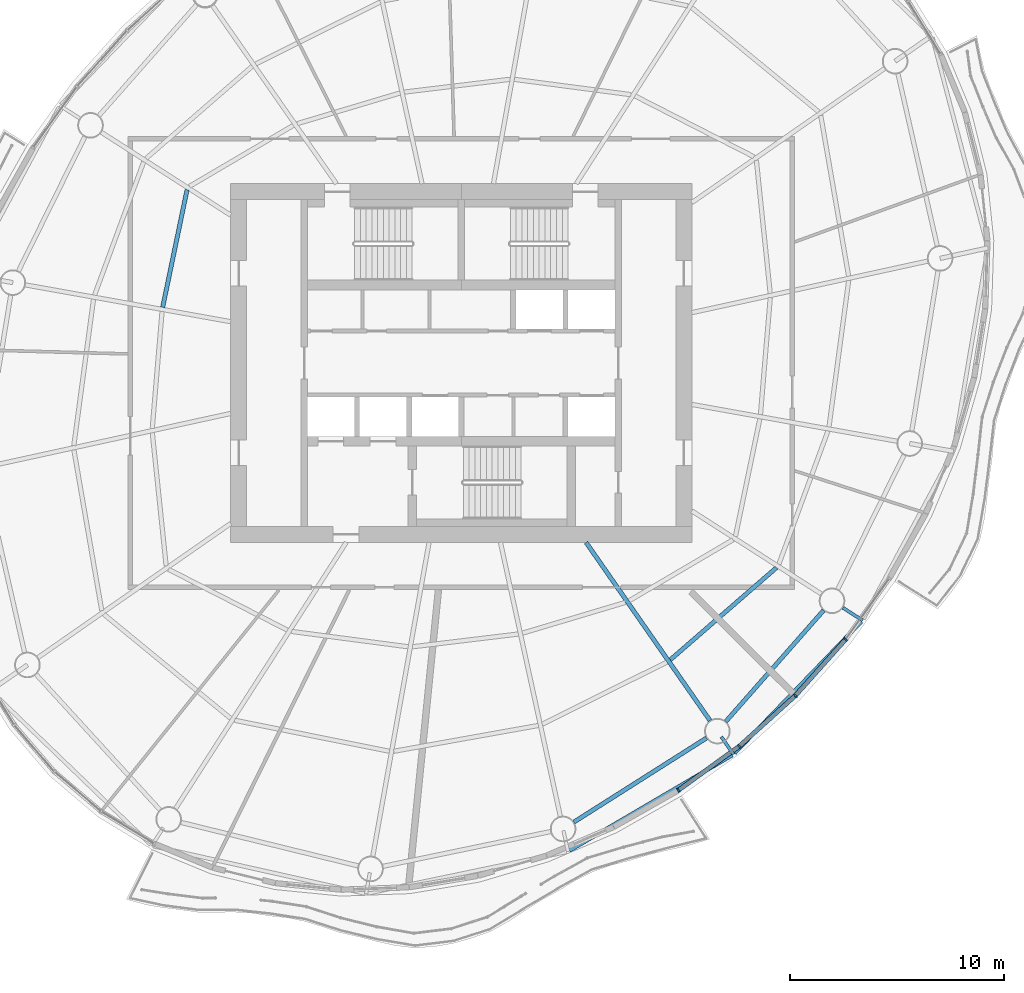
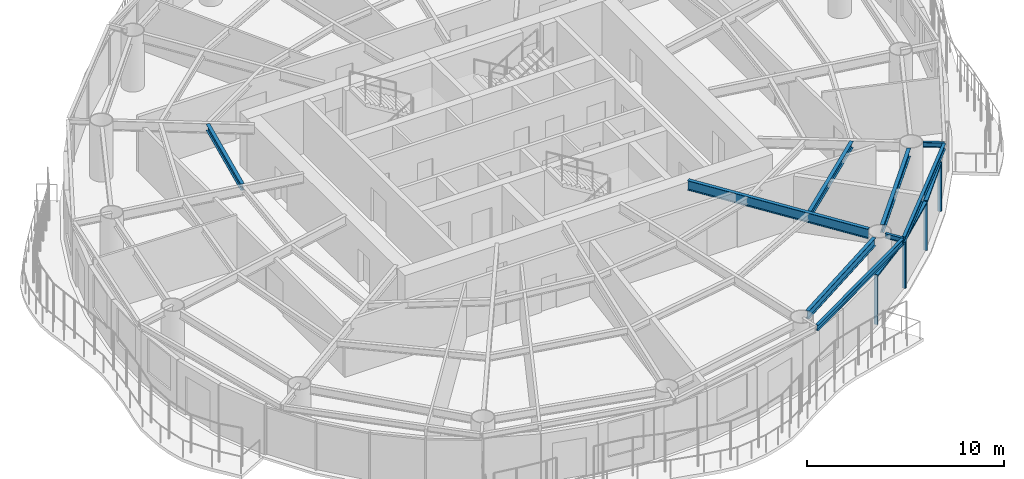
# One storey, part 3 of 14: 9 beams, 7 members, 4 elements without a shape of their own.
"""IFC4 building model written with IfcOpenShell, lengths in metres."""

from ifc_helpers import new_model, si_unit, direction, frame, origin, origin_2d, place, context, subcontext, project, spatial, rectangle, i_section, extrude, material, material_profile, profile_set, type_object, element, aggregate, save


model = new_model("IFC4")

# Units and contexts
model_context = context("Model", 3, precision=1e-05, world=origin(), true_north=direction((0.0, 1.0)))
body_context = subcontext(model_context, "Body", "Model", "MODEL_VIEW")
ifc_project = project(units=[si_unit("LENGTHUNIT", "METRE"), si_unit("AREAUNIT", "SQUARE_METRE"), si_unit("VOLUMEUNIT", "CUBIC_METRE"), si_unit("PLANEANGLEUNIT", "RADIAN"), si_unit("MASSUNIT", "GRAM", prefix="KILO")], contexts=[model_context])

# Site, building, storey
site_placement = place(None, origin())
site = spatial("IfcSite", under=ifc_project, at=site_placement, CompositionType="ELEMENT")
building_placement = place(site_placement, origin())
building = spatial("IfcBuilding", under=site, at=building_placement, Name="Vermilion Reach Broadcast Tower", CompositionType="ELEMENT")
storey_placement = place(building_placement, frame((0.0, 0.0, 213.699951171875)))
storey = spatial("IfcBuildingStorey", under=building, at=storey_placement, Name="L52", CompositionType="ELEMENT", Elevation=213.699951171875)

# Beams
ifc_material_1 = material(Name="Steel S355J2", Category="steel")
ifc_material_profile_1 = material_profile(ifc_material_1, i_section(OverallWidth=0.175048828125, OverallDepth=0.35009765625, WebThickness=0.007080078125, FlangeThickness=0.010986328125, at=origin_2d()), Name="S355J2 HN 350x175x7x11")
ifc_profile_set_1 = profile_set([ifc_material_profile_1], Name="Steel S355J2")
beam_type_1 = type_object("IfcBeamType", Name="EB4 HN 350x175x7x11", PredefinedType="BEAM", material=ifc_profile_set_1)
beam_1_placement = place(storey_placement, frame((-0.931884765625, -22.83447265625, 3.275146484375), z_axis=(0.8624999737, 0.506057106825, 0.0), x_axis=(-0.506057106825, 0.8624999737, 0.0)))
element("IfcBeam", 1, at=beam_1_placement, inside=storey, type_object=beam_type_1, Name="Edge beam EB4-11", PredefinedType="BEAM", context=body_context, shape_type="SweptSolid", body=[
    extrude(i_section(OverallWidth=0.175048828125, OverallDepth=0.35009765625, WebThickness=0.007080078125, FlangeThickness=0.010986328125, at=origin_2d()), origin(), (0.0, 0.0, 1.0), 8.8330078125),
])
beam_2_placement = place(storey_placement, frame((6.804443359375, -18.271240234375, 3.275146484375), z_axis=(0.693659229359, 0.720303320501, 0.0), x_axis=(-0.720303320501, 0.693659229359, 0.0)))
element("IfcBeam", 2, at=beam_2_placement, inside=storey, type_object=beam_type_1, Name="Edge beam EB4-12", PredefinedType="BEAM", context=body_context, shape_type="SweptSolid", body=[
    extrude(i_section(OverallWidth=0.175048828125, OverallDepth=0.35009765625, WebThickness=0.007080078125, FlangeThickness=0.010986328125, at=origin_2d()), origin(), (0.0, 0.0, 1.0), 8.558349609375),
])
ifc_material_2 = material(Name="Steel S355J2", Category="steel")
ifc_material_profile_2 = material_profile(ifc_material_2, i_section(OverallWidth=0.199951171875, OverallDepth=0.60009765625, WebThickness=0.010986328125, FlangeThickness=0.01708984375, at=origin_2d()), Name="S355J2 HN 600x200x11x17")
ifc_profile_set_2 = profile_set([ifc_material_profile_2], Name="Steel S355J2")
beam_type_2 = type_object("IfcBeamType", Name="G4 HN 600x200x11x17", PredefinedType="BEAM", material=ifc_profile_set_2)
beam_3_placement = place(storey_placement, frame((-0.1552734375, -8.39990234375, 3.150146484375), z_axis=(0.571134149017, -0.8208567377, 0.0), x_axis=(0.8208567377, 0.571134149017, 0.0)))
element("IfcBeam", 3, at=beam_3_placement, inside=storey, type_object=beam_type_2, Name="Girder G4-12", PredefinedType="BEAM", context=body_context, shape_type="SweptSolid", body=[
    extrude(i_section(OverallWidth=0.199951171875, OverallDepth=0.60009765625, WebThickness=0.010986328125, FlangeThickness=0.01708984375, at=origin_2d()), origin(), (0.0, 0.0, 1.0), 10.16552734375),
])
ifc_material_3 = material(Name="Steel S355J2", Category="steel")
ifc_material_profile_3 = material_profile(ifc_material_3, i_section(OverallWidth=0.14990234375, OverallDepth=0.300048828125, WebThickness=0.006591796875, FlangeThickness=0.009033203125, at=origin_2d()), Name="S355J2 HN 300x150x6.5x9")
ifc_profile_set_3 = profile_set([ifc_material_profile_3], Name="Steel S355J2")
beam_type_3 = type_object("IfcBeamType", Name="GS4 HN 300x150x6.5x9", PredefinedType="BEAM", material=ifc_profile_set_3)
beam_4_placement = place(storey_placement, frame((6.18017578125, -17.505615234375, 3.300048828125), z_axis=(0.571264751294, -0.820765852073, 0.0), x_axis=(0.820765852073, 0.571264751294, 0.0)))
element("IfcBeam", 4, at=beam_4_placement, inside=storey, type_object=beam_type_3, Name="Cantilever stub GS4-12", PredefinedType="BEAM", context=body_context, shape_type="SweptSolid", body=[
    extrude(i_section(OverallWidth=0.14990234375, OverallDepth=0.300048828125, WebThickness=0.006591796875, FlangeThickness=0.009033203125, at=origin_2d()), origin(), (0.0, 0.0, 1.0), 1.0),
])
beam_5_placement = place(storey_placement, frame((11.867919921875, -11.457763671875, 3.300048828125), z_axis=(0.841718819308, -0.539916131657, 0.0), x_axis=(0.539916131657, 0.841718819308, 0.0)))
element("IfcBeam", 5, at=beam_5_placement, inside=storey, type_object=beam_type_3, Name="Cantilever stub GS4-13", PredefinedType="BEAM", context=body_context, shape_type="SweptSolid", body=[
    extrude(i_section(OverallWidth=0.14990234375, OverallDepth=0.300048828125, WebThickness=0.006591796875, FlangeThickness=0.009033203125, at=origin_2d()), origin(), (0.0, 0.0, 1.0), 1.10009765625),
])
ifc_material_4 = material(Name="Steel S355J2", Category="steel")
ifc_material_profile_4 = material_profile(ifc_material_4, i_section(OverallWidth=0.199951171875, OverallDepth=0.5, WebThickness=0.010009765625, FlangeThickness=0.01611328125, at=origin_2d()), Name="S355J2 HN 500x200x10x16")
ifc_profile_set_4 = profile_set([ifc_material_profile_4], Name="Steel S355J2")
beam_type_4 = type_object("IfcBeamType", Name="RB4 HN 500x200x10x16", PredefinedType="BEAM", material=ifc_profile_set_4)
beam_6_placement = place(storey_placement, frame((-0.72412109375, -21.497314453125, 3.199951171875), z_axis=(0.84446426774, 0.535611893549, 0.0), x_axis=(-0.535611893549, 0.84446426774, 0.0)))
element("IfcBeam", 6, at=beam_6_placement, inside=storey, type_object=beam_type_4, Name="Ring beam RB4-11", PredefinedType="BEAM", context=body_context, shape_type="SweptSolid", body=[
    extrude(i_section(OverallWidth=0.199951171875, OverallDepth=0.5, WebThickness=0.010009765625, FlangeThickness=0.01611328125, at=origin_2d()), origin(), (0.0, 0.0, 1.0), 7.3544921875),
])
beam_7_placement = place(storey_placement, frame((6.3896484375, -16.786376953125, 3.199951171875), z_axis=(0.660565141761, 0.750768735024, 0.0), x_axis=(-0.750768735024, 0.660565141761, 0.0)))
element("IfcBeam", 7, at=beam_7_placement, inside=storey, type_object=beam_type_4, Name="Ring beam RB4-12", PredefinedType="BEAM", context=body_context, shape_type="SweptSolid", body=[
    extrude(i_section(OverallWidth=0.199951171875, OverallDepth=0.5, WebThickness=0.010009765625, FlangeThickness=0.01611328125, at=origin_2d()), origin(), (0.0, 0.0, 1.0), 6.9287109375),
])
ifc_material_5 = material(Name="Steel S355J2", Category="steel")
ifc_material_profile_5 = material_profile(ifc_material_5, i_section(OverallWidth=0.199951171875, OverallDepth=0.39990234375, WebThickness=0.008056640625, FlangeThickness=0.012939453125, at=origin_2d()), Name="S355J2 HN 400x200x8x13")
ifc_profile_set_5 = profile_set([ifc_material_profile_5], Name="Steel S355J2")
beam_type_5 = type_object("IfcBeamType", Name="SB4 HN 400x200x8x13", PredefinedType="BEAM", material=ifc_profile_set_5)
beam_8_placement = place(storey_placement, frame((-18.841064453125, 8.115478515625, 3.25), z_axis=(-0.20320860258, -0.979135467562, 0.0), x_axis=(0.979135467562, -0.20320860258, 0.0)))
element("IfcBeam", 8, at=beam_8_placement, inside=storey, type_object=beam_type_5, Name="Secondary beam SB4-05-1", PredefinedType="BEAM", context=body_context, shape_type="SweptSolid", body=[
    extrude(i_section(OverallWidth=0.199951171875, OverallDepth=0.39990234375, WebThickness=0.008056640625, FlangeThickness=0.012939453125, at=origin_2d()), origin(), (0.0, 0.0, 1.0), 5.622802734375),
])
beam_9_placement = place(storey_placement, frame((3.791259765625, -13.89697265625, 3.25), z_axis=(0.755129308567, 0.655575874589, 0.0), x_axis=(-0.655575874589, 0.755129308567, 0.0)))
element("IfcBeam", 9, at=beam_9_placement, inside=storey, type_object=beam_type_5, Name="Secondary beam SB4-12-2", PredefinedType="BEAM", context=body_context, shape_type="SweptSolid", body=[
    extrude(i_section(OverallWidth=0.199951171875, OverallDepth=0.39990234375, WebThickness=0.008056640625, FlangeThickness=0.012939453125, at=origin_2d()), origin(), (0.0, 0.0, 1.0), 6.57958984375),
])

# Curtain wall, member
ifc_material_6 = material(Name="Low-e laminated clear glass in aluminium frame", Category="aluminium")
curtain_wall_type = type_object("IfcCurtainWallType", Name="Slot curtain wall", PredefinedType="NOTDEFINED", material=ifc_material_6)
placement = place(storey_placement, origin())
curtain_wall_1 = element("IfcCurtainWall", 10, at=placement, inside=storey, type_object=curtain_wall_type, Name="Slot curtain wall L52 34", PredefinedType="NOTDEFINED")
ifc_material_7 = material(Name="Anodised aluminium", Category="aluminium")
ifc_material_profile_6 = material_profile(ifc_material_7, rectangle(XDim=0.199951171875, YDim=0.080078125, at=origin_2d()), Name="Slot mullion 80 x 200")
ifc_profile_set_6 = profile_set([ifc_material_profile_6], Name="Anodised aluminium")
member_type_1 = type_object("IfcMemberType", Name="Slot mullion 80 x 200", PredefinedType="MULLION", material=ifc_profile_set_6)
member_1_placement = place(storey_placement, frame((4.16650390625, -20.007568359375, 0.0), z_axis=(0.0, 0.0, 1.0), x_axis=(-0.540519452756, 0.841331516819, 0.0)))
member_1 = element("IfcMember", 11, at=member_1_placement, type_object=member_type_1, Name="Slot mullion L52 34", PredefinedType="MULLION", context=body_context, shape_type="SweptSolid", body=[
    extrude(rectangle(XDim=0.199951171875, YDim=0.080078125, at=origin_2d()), origin(), (0.0, 0.0, 1.0), 3.050048828125),
])

curtain_wall_2 = element("IfcCurtainWall", 12, at=placement, inside=storey, type_object=curtain_wall_type, Name="Slot curtain wall L52 35", PredefinedType="NOTDEFINED")
member_2_placement = place(storey_placement, frame((7.016845703125, -17.947265625, 0.0), z_axis=(0.0, 0.0, 1.0), x_axis=(-0.628697133905, 0.777650251604, 0.0)))
member_2 = element("IfcMember", 13, at=member_2_placement, type_object=member_type_1, Name="Slot mullion L52 35", PredefinedType="MULLION", context=body_context, shape_type="SweptSolid", body=[
    extrude(rectangle(XDim=0.199951171875, YDim=0.080078125, at=origin_2d()), origin(), (0.0, 0.0, 1.0), 3.050048828125),
])

curtain_wall_3 = element("IfcCurtainWall", 14, at=placement, inside=storey, type_object=curtain_wall_type, Name="Slot curtain wall L52 36", PredefinedType="NOTDEFINED")
member_3_placement = place(storey_placement, frame((9.6435546875, -15.578125, 0.0), z_axis=(0.0, 0.0, 1.0), x_axis=(-0.708586179375, 0.705624281327, 0.0)))
member_3 = element("IfcMember", 15, at=member_3_placement, type_object=member_type_1, Name="Slot mullion L52 36", PredefinedType="MULLION", context=body_context, shape_type="SweptSolid", body=[
    extrude(rectangle(XDim=0.199951171875, YDim=0.080078125, at=origin_2d()), origin(), (0.0, 0.0, 1.0), 3.050048828125),
])

curtain_wall_4 = element("IfcCurtainWall", 16, at=placement, inside=storey, type_object=curtain_wall_type, Name="Slot curtain wall L52 37", PredefinedType="NOTDEFINED")
member_4_placement = place(storey_placement, frame((12.00146484375, -12.94140625, 0.0), z_axis=(0.0, 0.0, 1.0), x_axis=(-0.780276886049, 0.62543423403, 0.0)))
member_4 = element("IfcMember", 17, at=member_4_placement, type_object=member_type_1, Name="Slot mullion L52 37", PredefinedType="MULLION", context=body_context, shape_type="SweptSolid", body=[
    extrude(rectangle(XDim=0.199951171875, YDim=0.080078125, at=origin_2d()), origin(), (0.0, 0.0, 1.0), 3.050048828125),
])
aggregate(curtain_wall_4, [member_4])

# Member
ifc_material_8 = material(Name="Anodised aluminium", Category="aluminium")
ifc_material_profile_7 = material_profile(ifc_material_8, rectangle(XDim=0.199951171875, YDim=0.10009765625, at=origin_2d()), Name="Slot transom 200 x 100")
ifc_profile_set_7 = profile_set([ifc_material_profile_7], Name="Anodised aluminium")
member_type_2 = type_object("IfcMemberType", Name="Slot transom 200 x 100", PredefinedType="USERDEFINED", material=ifc_profile_set_7)
member_5_placement = place(storey_placement, frame((4.198974609375, -19.984130859375, 3.0), z_axis=(0.810437525326, 0.585825074184, 0.0), x_axis=(-0.585825074184, 0.810437525326, 0.0)))
member_5 = element("IfcMember", 18, at=member_5_placement, type_object=member_type_2, Name="Slot transom L52 34.1", ObjectType="TRANSOM", PredefinedType="USERDEFINED", context=body_context, shape_type="SweptSolid", body=[
    extrude(rectangle(XDim=0.199951171875, YDim=0.10009765625, at=origin_2d()), origin(), (0.0, 0.0, 1.0), 3.43701171875),
])

aggregate(curtain_wall_1, [member_1, member_5])

member_6_placement = place(storey_placement, frame((7.04638671875, -17.92041015625, 3.0), z_axis=(0.74260553239, 0.669729067059, 0.0), x_axis=(-0.669729067059, 0.74260553239, 0.0)))
member_6 = element("IfcMember", 19, at=member_6_placement, type_object=member_type_2, Name="Slot transom L52 35.1", ObjectType="TRANSOM", PredefinedType="USERDEFINED", context=body_context, shape_type="SweptSolid", body=[
    extrude(rectangle(XDim=0.199951171875, YDim=0.10009765625, at=origin_2d()), origin(), (0.0, 0.0, 1.0), 3.457275390625),
])

aggregate(curtain_wall_2, [member_2, member_6])

member_7_placement = place(storey_placement, frame((9.670166015625, -15.54833984375, 3.0), z_axis=(0.66660493798, 0.745411199715, 0.0), x_axis=(-0.745411199715, 0.66660493798, 0.0)))
member_7 = element("IfcMember", 20, at=member_7_placement, type_object=member_type_2, Name="Slot transom L52 36.1", ObjectType="TRANSOM", PredefinedType="USERDEFINED", context=body_context, shape_type="SweptSolid", body=[
    extrude(rectangle(XDim=0.199951171875, YDim=0.10009765625, at=origin_2d()), origin(), (0.0, 0.0, 1.0), 3.457275390625),
])

aggregate(curtain_wall_3, [member_3, member_7])

save(model, "model.ifc")
